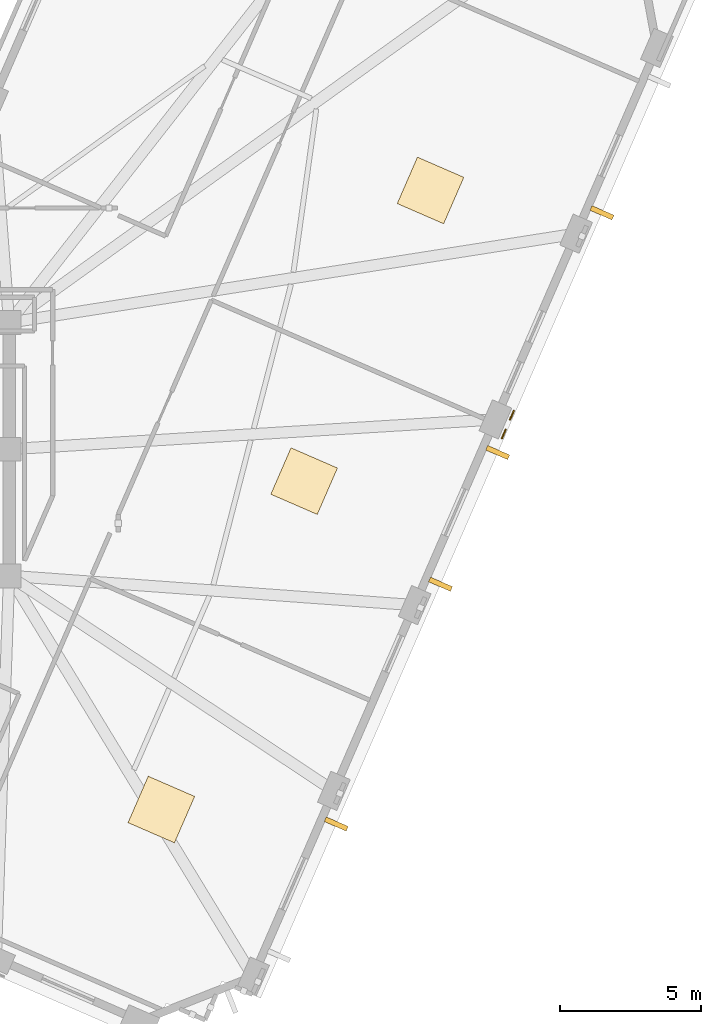
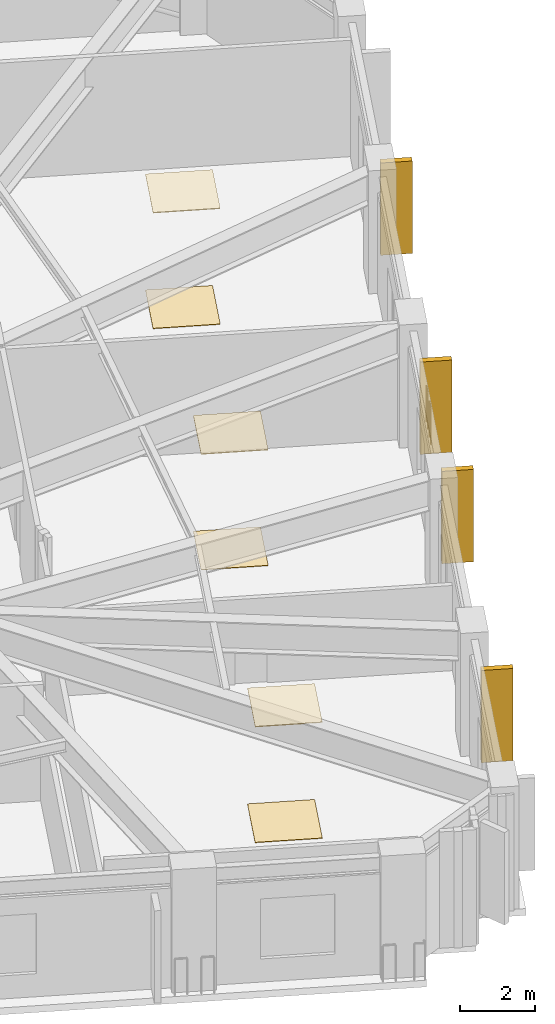
# One storey, part 11 of 12: 6 coverings, 4 shading devices, 2 railings.
"""IFC4 building model written with IfcOpenShell, lengths in metres."""

from ifc_helpers import new_model, si_unit, direction, frame, origin, origin_2d, place, context, subcontext, project, spatial, rectangle, circle, extrude, material, layer, layer_set, type_object, element, save


model = new_model("IFC4")

# Units and contexts
model_context = context("Model", 3, precision=1e-05, world=origin(), true_north=direction((0.0, 1.0)))
body_context = subcontext(model_context, "Body", "Model", "MODEL_VIEW")
ifc_project = project(units=[si_unit("LENGTHUNIT", "METRE"), si_unit("AREAUNIT", "SQUARE_METRE"), si_unit("VOLUMEUNIT", "CUBIC_METRE"), si_unit("PLANEANGLEUNIT", "RADIAN"), si_unit("MASSUNIT", "GRAM", prefix="KILO")], contexts=[model_context])

# Site, building, storey
site_placement = place(None, origin())
site = spatial("IfcSite", under=ifc_project, at=site_placement, CompositionType="ELEMENT")
building_placement = place(site_placement, origin())
building = spatial("IfcBuilding", under=site, at=building_placement, Name="Gaonmaruhae Medical Tower", CompositionType="ELEMENT")
storey_placement = place(building_placement, frame((0.0, 0.0, 312.60009765625)))
storey = spatial("IfcBuildingStorey", under=building, at=storey_placement, Name="L75", CompositionType="ELEMENT", Elevation=312.60009765625)

# Coverings
ifc_material_1 = material(Name="Acoustic mineral ceiling tile", Category="finish")
ifc_layer_1 = layer(ifc_material_1, 0.02490234375)
ifc_layer_set_1 = layer_set([ifc_layer_1], Name="Acoustic mineral ceiling tile")
covering_type_1 = type_object("IfcCoveringType", Name="CLG-01 Antimicrobial Acoustic Mineral Ceiling", PredefinedType="CEILING", material=ifc_layer_set_1)
for number, where, z_axis, x_axis, name in (
    (1, (41.012451171875, -0.510009765625, 3.7548828125), (0.0, 0.0, 1.0), (0.398749068925, 0.917060074385, 0.0), "L75 Clinical Room Acoustic Ceiling 2"),
    (2, (46.0888671875, 11.1650390625, 3.7548828125), (0.0, 0.0, 1.0), (0.398749068925, 0.917060074385, 0.0), "L75 Clinical Room Acoustic Ceiling 3"),
    (3, (50.58251953125, 21.49951171875, 3.7548828125), (0.0, 0.0, 1.0), (0.398749068925, 0.917060074385, 0.0), "L75 Clinical Room Acoustic Ceiling 4"),
):
    element("IfcCovering", number, at=place(storey_placement, frame(where, z_axis=z_axis, x_axis=x_axis)), inside=storey, type_object=covering_type_1, Name=name, PredefinedType="CEILING", context=body_context, shape_type="SweptSolid", body=[
        extrude(rectangle(XDim=1.800048828125, YDim=1.800048828125, at=origin_2d()), origin(), (0.0, 0.0, 1.0), 0.02490234375),
    ])
ifc_material_2 = material(Name="Seamless clinical vinyl flooring", Category="finish")
ifc_layer_2 = layer(ifc_material_2, 0.014892578125)
ifc_layer_set_2 = layer_set([ifc_layer_2], Name="Seamless clinical vinyl flooring")
covering_type_2 = type_object("IfcCoveringType", Name="FLR-01 Seamless Clinical Antistatic Vinyl Flooring", PredefinedType="FLOORING", material=ifc_layer_set_2)
for number, where, z_axis, x_axis, name in (
    (4, (41.012451171875, -0.510009765625, 0.0), (0.0, 0.0, 1.0), (0.398749068925, 0.917060074385, 0.0), "L75 Clinical Room Vinyl Flooring 2"),
    (5, (46.0888671875, 11.1650390625, 0.0), (0.0, 0.0, 1.0), (0.398749068925, 0.917060074385, 0.0), "L75 Clinical Room Vinyl Flooring 3"),
    (6, (50.58251953125, 21.49951171875, 0.0), (0.0, 0.0, 1.0), (0.398749068925, 0.917060074385, 0.0), "L75 Clinical Room Vinyl Flooring 4"),
):
    element("IfcCovering", number, at=place(storey_placement, frame(where, z_axis=z_axis, x_axis=x_axis)), inside=storey, type_object=covering_type_2, Name=name, PredefinedType="FLOORING", context=body_context, shape_type="SweptSolid", body=[
        extrude(rectangle(XDim=1.800048828125, YDim=1.800048828125, at=origin_2d()), origin(), (0.0, 0.0, 1.0), 0.014892578125),
    ])

# Railings
ifc_material_3 = material(Name="Stainless steel 316L and laminated safety glass", Category="steel")
ifc_layer_3 = layer(ifc_material_3, 0.080078125)
ifc_layer_set_3 = layer_set([ifc_layer_3], Name="Stainless steel 316L and laminated safety glass")
railing_type = type_object("IfcRailingType", Name="GD-120 Outdoor Terrace Safety Glass & Steel Balustrade", PredefinedType="BALUSTRADE", material=ifc_layer_set_3)
railing_1_placement = place(storey_placement, frame((53.542236328125, 13.660888671875, 0.0)))
element("IfcRailing", 7, at=railing_1_placement, inside=storey, type_object=railing_type, Name="L75 Perimeter Slab Edge Safety Balustrade 07", PredefinedType="BALUSTRADE", context=body_context, shape_type="SweptSolid", body=[
    extrude(circle(Radius=0.02392578125, at=origin_2d()), frame((0.0, 0.0, 1.17578125), z_axis=(-0.398857500245, -0.917012919483, 0.0), x_axis=(0.917012919483, -0.398857500245, 0.0)), (0.0, 0.0, 1.0), 0.339599609375),
    extrude(circle(Radius=0.02099609375, at=origin_2d()), origin(), (0.0, 0.0, 1.0), 1.15185546875),
    extrude(circle(Radius=0.02099609375, at=origin_2d()), frame((-0.135498046875, -0.3115234375, 0.0)), (0.0, 0.0, 1.0), 1.15185546875),
])
railing_2_placement = place(storey_placement, frame((53.255615234375, 13.00146484375, 0.0)))
element("IfcRailing", 8, at=railing_2_placement, inside=storey, type_object=railing_type, Name="L75 Perimeter Slab Edge Safety Balustrade 08", PredefinedType="BALUSTRADE", context=body_context, shape_type="SweptSolid", body=[
    extrude(circle(Radius=0.02392578125, at=origin_2d()), frame((0.0, 0.0, 1.17578125), z_axis=(-0.398594800943, -0.917127136585, 0.0), x_axis=(0.917127136585, -0.398594800943, 0.0)), (0.0, 0.0, 1.0), 0.33984375),
    extrude(circle(Radius=0.02099609375, at=origin_2d()), origin(), (0.0, 0.0, 1.0), 1.15185546875),
    extrude(circle(Radius=0.02099609375, at=origin_2d()), frame((-0.135498046875, -0.311767578125, 0.0)), (0.0, 0.0, 1.0), 1.15185546875),
])

# Shading devices
ifc_material_4 = material(Name="Pigmented coral precast concrete C45/55", Category="concrete")
shading_device_type = type_object("IfcShadingDeviceType", Name="SD-FIN1 Tower Vertical Coral Precast Shading Fin", PredefinedType="USERDEFINED", material=ifc_material_4)
for number, where, z_axis, x_axis, name in (
    (9, (47.228271484375, -1.023681640625, 0.13232421875), (0.0, 0.0, 1.0), (-0.398749068925, -0.917060074385, 0.0), "L75 Vertical Coral Precast Shading Fin S01"),
    (10, (52.97021484375, 12.18212890625, 0.13232421875), (0.0, 0.0, 1.0), (-0.398749068925, -0.917060074385, 0.0), "L75 Vertical Coral Precast Shading Fin S03"),
    (11, (50.9345703125, 7.50048828125, 0.13232421875), (0.0, 0.0, 1.0), (-0.398749068925, -0.917060074385, 0.0), "L75 Vertical Coral Precast Shading Fin S03B"),
    (12, (56.676513671875, 20.706298828125, 0.13232421875), (0.0, 0.0, 1.0), (-0.398749068925, -0.917060074385, 0.0), "L75 Vertical Coral Precast Shading Fin S05B"),
):
    element("IfcShadingDevice", number, at=place(storey_placement, frame(where, z_axis=z_axis, x_axis=x_axis)), inside=storey, type_object=shading_device_type, Name=name, ObjectType="FIN", PredefinedType="USERDEFINED", context=body_context, shape_type="SweptSolid", body=[
        extrude(rectangle(XDim=0.179931640625, YDim=0.85009765625, at=origin_2d()), origin(), (0.0, 0.0, 1.0), 3.0),
    ])

save(model, "model.ifc")
